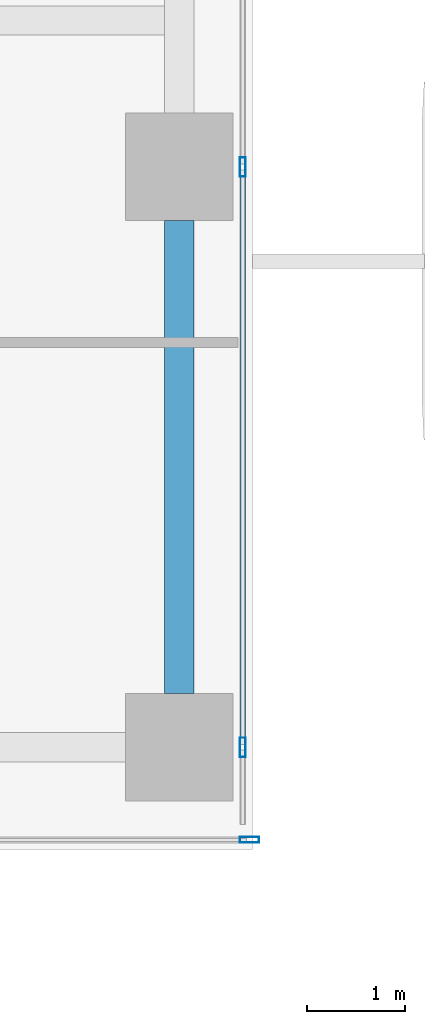
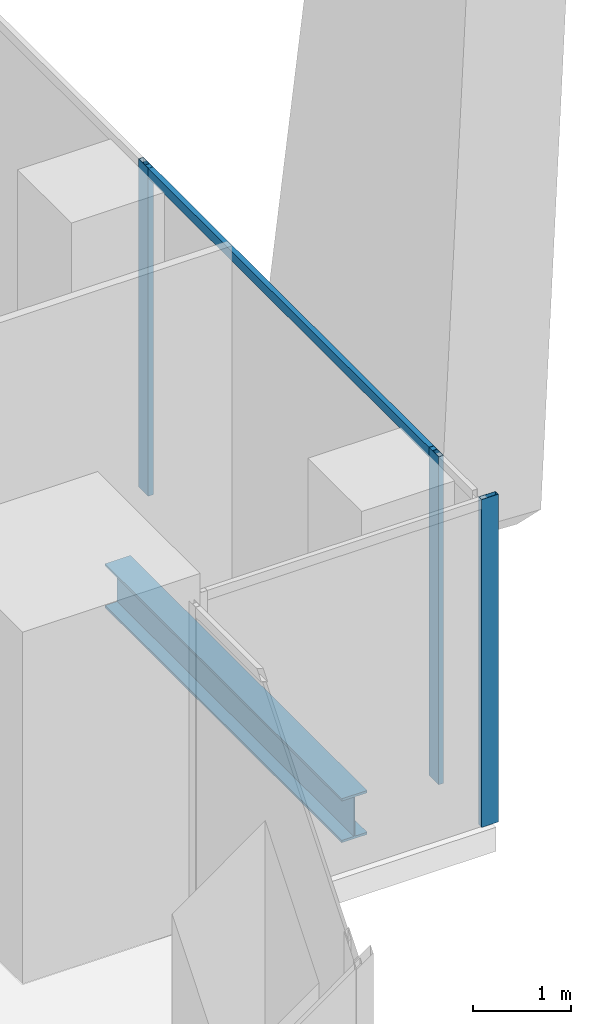
# One storey, part 11 of 35: 4 members, 1 beam, 2 elements without a shape of their own.
"""IFC4 building model written with IfcOpenShell, lengths in metres."""

import ifcopenshell
import ifcopenshell.guid

model = None  # the IFC model being written
_history = None  # IfcOwnerHistory: only IFC2X3 demands one
_inside = {}  # id of a spatial element -> (the spatial element, [elements in it])
_under = {}  # id of a project, library or spatial element -> (it, [spatial elements below it])
_declared = {}  # id of a project -> (the project, [libraries it declares])
_typed = {}  # id of a type object -> (the type object, [elements of that type])
_made_of = {}  # id of a material, layer set ... -> (it, [elements and type objects made of it])


def new_model(schema):
    """Start an empty IFC model of exactly this schema.

    Asked for "IFC4X3", IfcOpenShell would pick the latest addendum, in which some entities
    have other attributes; the version numbers below select the first issue.
    IFC2X3 requires an IfcOwnerHistory on every rooted entity: one is made here for all.
    """
    global model, _history
    if schema == "IFC4X3":
        model = ifcopenshell.file(schema_version=(4, 3, 0, 0))
    else:
        model = ifcopenshell.file(schema=schema)
    _inside.clear()
    _under.clear()
    _declared.clear()
    _typed.clear()
    _made_of.clear()
    _history = None
    if model.schema == "IFC2X3":
        org = make("IfcOrganization", Name="unknown")
        user = make(
            "IfcPersonAndOrganization",
            ThePerson=make("IfcPerson", FamilyName="unknown"),
            TheOrganization=org,
        )
        app = make(
            "IfcApplication",
            ApplicationDeveloper=org,
            Version="unknown",
            ApplicationFullName="unknown",
            ApplicationIdentifier="unknown",
        )
        _history = make(
            "IfcOwnerHistory",
            OwningUser=user,
            OwningApplication=app,
            ChangeAction="ADDED",
            CreationDate=0,
        )
    return model


def make(cls, **values):
    """One entity of the class cls with the attributes given. An attribute that is None is left unset."""
    return model.create_entity(
        cls, **{name: value for name, value in values.items() if value is not None}
    )


def rooted(cls, **values):
    """An entity with a GlobalId (a new one), such as an element, a storey or a relation."""
    return make(cls, GlobalId=ifcopenshell.guid.new(), OwnerHistory=_history, **values)


def si_unit(unit_type, name, prefix=None):
    """IfcSIUnit, for example si_unit("LENGTHUNIT", "METRE", prefix="MILLI")."""
    return make("IfcSIUnit", UnitType=unit_type, Prefix=prefix, Name=name)


def assignment(units):
    """IfcUnitAssignment: the units of a project."""
    return None if units is None else make("IfcUnitAssignment", Units=units)


def point(xyz):
    """IfcCartesianPoint."""
    return None if xyz is None else make("IfcCartesianPoint", Coordinates=xyz)


def direction(xyz):
    """IfcDirection."""
    return None if xyz is None else make("IfcDirection", DirectionRatios=xyz)


def frame(location, z_axis=None, x_axis=None):
    """IfcAxis2Placement3D, a coordinate frame: its origin and axes. An axis left out is left unset."""
    return make(
        "IfcAxis2Placement3D",
        Location=point(location),
        Axis=direction(z_axis),
        RefDirection=direction(x_axis),
    )


def frame_2d(location, x_axis=None):
    """IfcAxis2Placement2D, a coordinate frame in the plane: its origin and x axis."""
    return make(
        "IfcAxis2Placement2D", Location=point(location), RefDirection=direction(x_axis)
    )


def origin():
    """The frame at (0, 0, 0) with its axes left unset."""
    return frame((0.0, 0.0, 0.0))


def origin_2d():
    """The frame at (0, 0) in the plane with its x axis left unset."""
    return frame_2d((0.0, 0.0))


def place(relative_to, where):
    """IfcLocalPlacement: puts the frame where relative to a parent placement (None: the world)."""
    return make(
        "IfcLocalPlacement", PlacementRelTo=relative_to, RelativePlacement=where
    )


def context(
    kind, dimensions, precision=None, world=None, true_north=None, identifier=None
):
    """IfcGeometricRepresentationContext, for example the 3D "Model" context."""
    return make(
        "IfcGeometricRepresentationContext",
        ContextIdentifier=identifier,
        ContextType=kind,
        CoordinateSpaceDimension=dimensions,
        Precision=precision,
        WorldCoordinateSystem=world,
        TrueNorth=true_north,
    )


def subcontext(parent, identifier, kind, view, scale=None):
    """IfcGeometricRepresentationSubContext, for example "Body" below "Model"."""
    return make(
        "IfcGeometricRepresentationSubContext",
        ContextIdentifier=identifier,
        ContextType=kind,
        ParentContext=parent,
        TargetScale=scale,
        TargetView=view,
    )


def project(units=None, contexts=None):
    """IfcProject with its units and contexts."""
    return rooted(
        "IfcProject",
        Name="project",
        RepresentationContexts=contexts,
        UnitsInContext=assignment(units),
    )


def spatial(cls, under=None, at=None, **own):
    """A site, building, storey or space (cls), placed at a placement, below another one or the project."""
    s = rooted(cls, ObjectPlacement=at, **own)
    if under is not None:
        _under.setdefault(under.id(), (under, []))[1].append(s)
    return s


def profile(cls, at=None, kind="AREA", **sizes):
    """A parametric profile (cls). Its sizes go by their IFC names, for example OverallWidth=200.0."""
    return make(cls, ProfileType=kind, Position=at, **sizes)


def hollow_rectangle(**sizes):
    """IfcRectangleHollowProfileDef."""
    return profile("IfcRectangleHollowProfileDef", **sizes)


def i_section(**sizes):
    """IfcIShapeProfileDef."""
    return profile("IfcIShapeProfileDef", **sizes)


def extrude(swept, where, along, depth):
    """IfcExtrudedAreaSolid: the profile swept, set in the frame where, extruded along a direction by depth."""
    return make(
        "IfcExtrudedAreaSolid",
        SweptArea=swept,
        Position=where,
        ExtrudedDirection=direction(along),
        Depth=depth,
    )


def shape(context_of_items, identifier, shape_type, items):
    """IfcShapeRepresentation: the items that make up one representation, for example the "Body"."""
    return make(
        "IfcShapeRepresentation",
        ContextOfItems=context_of_items,
        RepresentationIdentifier=identifier,
        RepresentationType=shape_type,
        Items=items,
    )


def source(mapping_origin, context_of_items, identifier, shape_type, items):
    """IfcRepresentationMap: a shape defined once, which mapped items show again and again."""
    return make(
        "IfcRepresentationMap",
        MappingOrigin=mapping_origin,
        MappedRepresentation=shape(context_of_items, identifier, shape_type, items),
    )


def transform(
    local_origin,
    x_axis=None,
    y_axis=None,
    z_axis=None,
    scale=None,
    scale2=None,
    scale3=None,
    uniform=True,
):
    """IfcCartesianTransformationOperator3D, or its non-uniform kind. x_axis, y_axis, z_axis: its Axis1, 2, 3."""
    if uniform:
        return make(
            "IfcCartesianTransformationOperator3D",
            Axis1=direction(x_axis),
            Axis2=direction(y_axis),
            LocalOrigin=point(local_origin),
            Scale=scale,
            Axis3=direction(z_axis),
        )
    return make(
        "IfcCartesianTransformationOperator3DnonUniform",
        Axis1=direction(x_axis),
        Axis2=direction(y_axis),
        LocalOrigin=point(local_origin),
        Scale=scale,
        Axis3=direction(z_axis),
        Scale2=scale2,
        Scale3=scale3,
    )


def mapped(mapping_source, mapping_target):
    """IfcMappedItem: shows the shape of a source again, moved by a transform."""
    return make(
        "IfcMappedItem", MappingSource=mapping_source, MappingTarget=mapping_target
    )


def material(Name=None, Category=None):
    """IfcMaterial."""
    return make("IfcMaterial", Name=Name, Category=Category)


def material_profile(
    of_material, cross_section, Name=None, Category=None, Priority=None
):
    """IfcMaterialProfile: a cross section and its material."""
    return make(
        "IfcMaterialProfile",
        Name=Name,
        Material=of_material,
        Profile=cross_section,
        Priority=Priority,
        Category=Category,
    )


def profile_set(profiles, Name=None, composite=None):
    """IfcMaterialProfileSet."""
    return make(
        "IfcMaterialProfileSet",
        Name=Name,
        MaterialProfiles=profiles,
        CompositeProfile=composite,
    )


def made_of(thing, what):
    """Note that an element or type object is made of a material, layer set ...; save() writes the relation."""
    if what is not None:
        _made_of.setdefault(what.id(), (what, []))[1].append(thing)
    return thing


def type_object(cls, material=None, **own):
    """A type object (cls), such as IfcWallType, which elements share."""
    return made_of(rooted(cls, **own), material)


def element(
    cls,
    number,
    at=None,
    inside=None,
    cuts=None,
    type_object=None,
    material=None,
    context=None,
    identifier="Body",
    shape_type=None,
    held_by="IfcProductDefinitionShape",
    body=None,
    shapes=None,
    **own,
):
    """One element of the class cls, such as IfcWall. Its Tag is "e" and its number.

    at: its placement. inside: the storey or other place that contains it. cuts: it is an
    opening in that element (IfcRelVoidsElement). A single representation is given by context,
    identifier, shape_type and body (its items); several are given by shapes. held_by: the class
    of the entity that holds the representations. save() writes the other relations.
    """
    e = rooted(cls, Tag="e%d" % number, ObjectPlacement=at, **own)
    if body is not None:
        shapes = [shape(context, identifier, shape_type, body)]
    if shapes is not None:
        e.Representation = make(held_by, Representations=shapes)
    if inside is not None:
        _inside.setdefault(inside.id(), (inside, []))[1].append(e)
    if cuts is not None:
        rooted(
            "IfcRelVoidsElement", RelatingBuildingElement=cuts, RelatedOpeningElement=e
        )
    if type_object is not None:
        _typed.setdefault(type_object.id(), (type_object, []))[1].append(e)
    return made_of(e, material)


def aggregate(whole, parts):
    """IfcRelAggregates: a whole, such as a stair, and the parts it consists of."""
    return rooted("IfcRelAggregates", RelatingObject=whole, RelatedObjects=parts)


def save(model, path):
    """Write the relations noted so far, then the file.

    IfcRelAggregates (storeys below a building ...), IfcRelContainedInSpatialStructure (elements
    in a storey), IfcRelDefinesByType, IfcRelAssociatesMaterial and IfcRelDeclares: one each for
    every whole, place, type object, material and project.
    """
    for whole, parts in _under.values():
        aggregate(whole, parts)
    for where, things in _inside.values():
        rooted(
            "IfcRelContainedInSpatialStructure",
            RelatedElements=things,
            RelatingStructure=where,
        )
    for kind, things in _typed.values():
        rooted("IfcRelDefinesByType", RelatedObjects=things, RelatingType=kind)
    for what, things in _made_of.values():
        rooted("IfcRelAssociatesMaterial", RelatedObjects=things, RelatingMaterial=what)
    for by, libraries in _declared.values():
        rooted("IfcRelDeclares", RelatingContext=by, RelatedDefinitions=libraries)
    model.write(path)


model = new_model("IFC4")

# Units and contexts
model_context = context("Model", 3, precision=1e-05, world=origin(), true_north=direction((0.0, 1.0)))
body_context = subcontext(model_context, "Body", "Model", "MODEL_VIEW")
ifc_project = project(units=[si_unit("LENGTHUNIT", "METRE"), si_unit("AREAUNIT", "SQUARE_METRE"), si_unit("VOLUMEUNIT", "CUBIC_METRE"), si_unit("PLANEANGLEUNIT", "RADIAN"), si_unit("MASSUNIT", "GRAM", prefix="KILO")], contexts=[model_context])

# Site, building, storey
site_placement = place(None, origin())
site = spatial("IfcSite", under=ifc_project, at=site_placement, CompositionType="ELEMENT")
building_placement = place(site_placement, origin())
building = spatial("IfcBuilding", under=site, at=building_placement, Name="Khomas Fold Tower", CompositionType="ELEMENT")
storey_placement = place(building_placement, frame((0.0, 0.0, 119.10009765625)))
storey = spatial("IfcBuildingStorey", under=building, at=storey_placement, Name="L25", CompositionType="ELEMENT", Elevation=119.10009765625)

# Beam
ifc_material_1 = material(Name="Steel S355", Category="steel")
ifc_material_profile_1 = material_profile(ifc_material_1, i_section(OverallWidth=0.300048828125, OverallDepth=0.550048828125, WebThickness=0.014892578125, FlangeThickness=0.029052734375, at=origin_2d()), Name="HE 550 B")
ifc_profile_set_1 = profile_set([ifc_material_profile_1], Name="Steel S355")
beam_type = type_object("IfcBeamType", Name="HE 550 B spandrel SB2", PredefinedType="SPANDREL", material=ifc_profile_set_1)
shared_shape_1 = source(origin(), body_context, "Body", "SweptSolid", [
    extrude(i_section(OverallWidth=0.300048828125, OverallDepth=0.550048828125, WebThickness=0.014892578125, FlangeThickness=0.029052734375, at=origin_2d()), origin(), (0.0, 0.0, 1.0), 4.849853515625),
])
beam_placement = place(storey_placement, frame((51.75, 6.60009765625, -0.5751953125), z_axis=(0.0, 1.0, 0.0), x_axis=(-1.0, 0.0, 0.0)))
element("IfcBeam", 1, at=beam_placement, inside=storey, type_object=beam_type, Name="SB2", PredefinedType="SPANDREL", context=body_context, shape_type="MappedRepresentation", body=[
    mapped(shared_shape_1, transform((0.0, 0.0, 0.0))),
])

# Curtain wall, member
ifc_material_2 = material(Name="Aluminium framed double glazing", Category="aluminium")
curtain_wall_type = type_object("IfcCurtainWallType", Name="SK-Unitised clear-glass wall, growing floors CW1", PredefinedType="NOTDEFINED", material=ifc_material_2)
curtain_wall_1_placement = place(storey_placement, origin())
curtain_wall_1 = element("IfcCurtainWall", 2, at=curtain_wall_1_placement, inside=storey, type_object=curtain_wall_type, Name="CW1 run L25 03-0", PredefinedType="NOTDEFINED")
ifc_material_3 = material(Name="Aluminium", Category="aluminium")
ifc_material_profile_2 = material_profile(ifc_material_3, hollow_rectangle(XDim=0.06005859375, YDim=0.1201171875, WallThickness=0.00390625, at=origin_2d()), Name="SK-Unitised clear-glass wall, growing floors transom CW1-T")
ifc_profile_set_2 = profile_set([ifc_material_profile_2], Name="Aluminium")
member_type_1 = type_object("IfcMemberType", Name="SK-Unitised clear-glass wall, growing floors transom CW1-T", PredefinedType="USERDEFINED", material=ifc_profile_set_2)
shared_shape_2 = source(origin(), body_context, "Body", "SweptSolid", [
    extrude(hollow_rectangle(XDim=0.06005859375, YDim=0.1201171875, WallThickness=0.00390625, at=origin_2d()), origin(), (0.0, 0.0, 1.0), 5.889892578125),
])
member_1_placement = place(storey_placement, frame((52.39990234375, 6.080078125, 4.039794921875), z_axis=(0.0, 1.0, 0.0), x_axis=(-1.0, 0.0, 0.0)))
member_1 = element("IfcMember", 3, at=member_1_placement, type_object=member_type_1, Name="CW1 transom 2", ObjectType="TRANSOM", PredefinedType="USERDEFINED", context=body_context, shape_type="MappedRepresentation", body=[
    mapped(shared_shape_2, transform((0.0, 0.0, 0.0))),
])

curtain_wall_2_placement = place(storey_placement, origin())
curtain_wall_2 = element("IfcCurtainWall", 4, at=curtain_wall_2_placement, inside=storey, type_object=curtain_wall_type, Name="CW1 corner return L25 02", PredefinedType="NOTDEFINED")
ifc_material_4 = material(Name="Aluminium", Category="aluminium")
ifc_material_profile_3 = material_profile(ifc_material_4, hollow_rectangle(XDim=0.06005859375, YDim=0.199951171875, WallThickness=0.00390625, at=origin_2d()), Name="SK-Unitised clear-glass wall, growing floors mullion CW1-M")
ifc_profile_set_3 = profile_set([ifc_material_profile_3], Name="Aluminium")
member_type_2 = type_object("IfcMemberType", Name="SK-Unitised clear-glass wall, growing floors mullion CW1-M", PredefinedType="MULLION", material=ifc_profile_set_3)
shared_shape_3 = source(origin(), body_context, "Body", "SweptSolid", [
    extrude(hollow_rectangle(XDim=0.06005859375, YDim=0.199951171875, WallThickness=0.00390625, at=origin_2d()), origin(), (0.0, 0.0, 1.0), 4.099853515625),
])
member_2_placement = place(storey_placement, frame((52.469970703125, 5.10009765625, 0.0), z_axis=(0.0, 0.0, 1.0), x_axis=(0.0, 1.0, 0.0)))
member_2 = element("IfcMember", 5, at=member_2_placement, type_object=member_type_2, Name="CW1 mullion 2", PredefinedType="MULLION", context=body_context, shape_type="MappedRepresentation", body=[
    mapped(shared_shape_3, transform((0.0, 0.0, 0.0))),
])
aggregate(curtain_wall_2, [member_2])

# Member
member_3_placement = place(storey_placement, frame((52.39990234375, 6.050048828125, 0.0), z_axis=(0.0, 0.0, 1.0), x_axis=(-1.0, 0.0, 0.0)))
member_3 = element("IfcMember", 6, at=member_3_placement, type_object=member_type_2, Name="CW1 mullion 2", PredefinedType="MULLION", context=body_context, shape_type="MappedRepresentation", body=[
    mapped(shared_shape_3, transform((0.0, 0.0, 0.0))),
])

member_4_placement = place(storey_placement, frame((52.39990234375, 12.0, 0.0), z_axis=(0.0, 0.0, 1.0), x_axis=(-1.0, 0.0, 0.0)))
member_4 = element("IfcMember", 7, at=member_4_placement, type_object=member_type_2, Name="CW1 mullion 3", PredefinedType="MULLION", context=body_context, shape_type="MappedRepresentation", body=[
    mapped(shared_shape_3, transform((0.0, 0.0, 0.0))),
])

aggregate(curtain_wall_1, [member_3, member_4, member_1])

save(model, "model.ifc")
